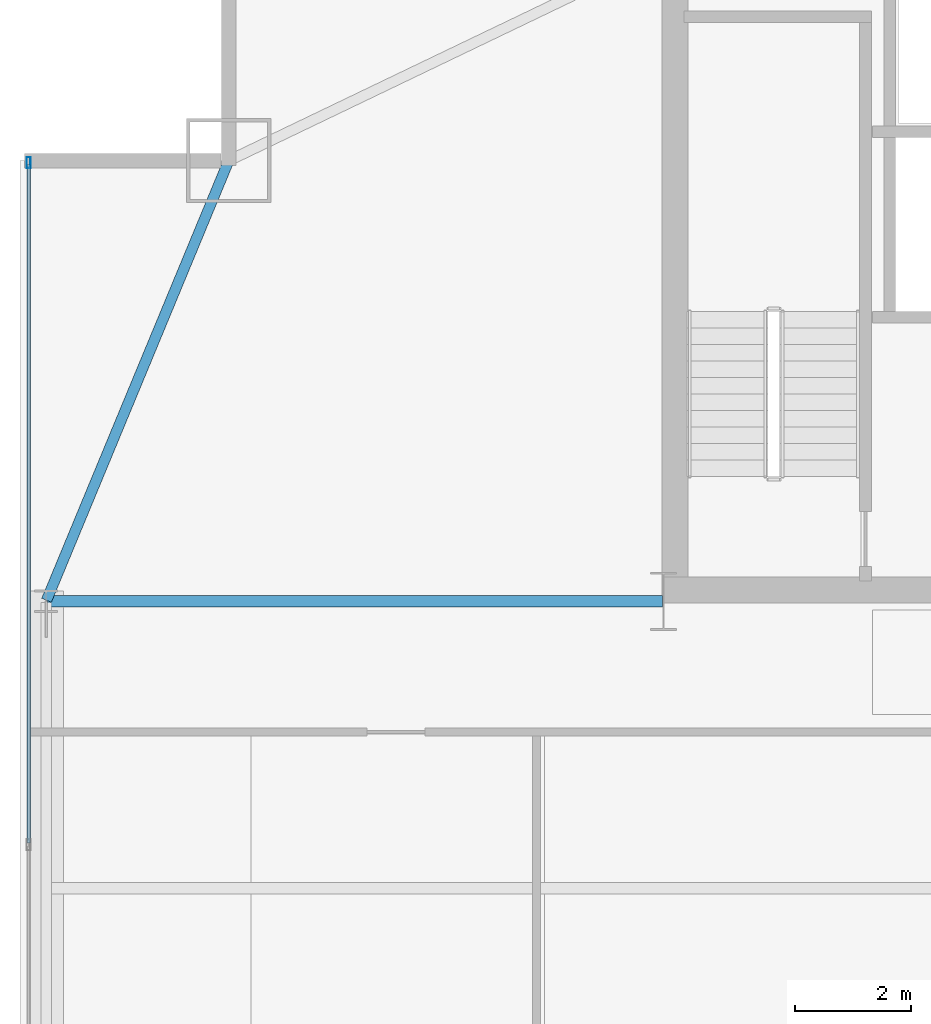
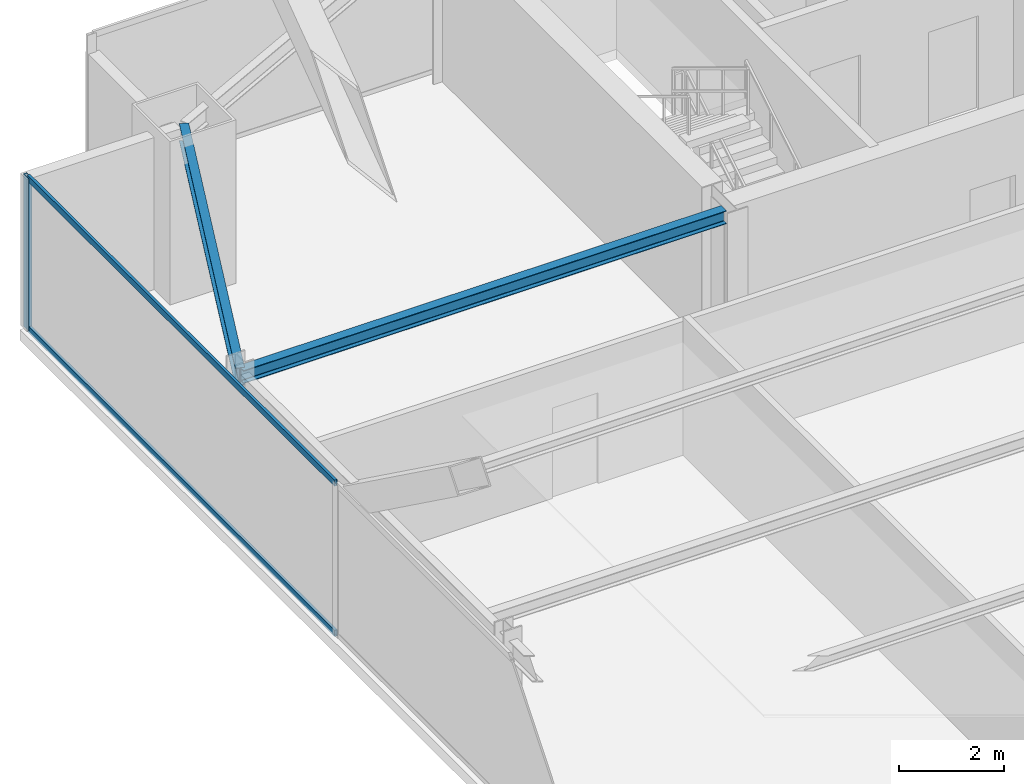
# One storey, part 22 of 37: 3 members, 2 beams, 1 element without a shape of its own.
"""IFC4 building model written with IfcOpenShell, lengths in metres."""

from ifc_helpers import new_model, si_unit, direction, frame, origin, origin_2d, place, context, subcontext, project, spatial, hollow_rectangle, i_section, extrude, source, transform, mapped, material, layer, layer_set, material_profile, profile_set, type_object, type_shapes, element, aggregate, save


model = new_model("IFC4")

# Units and contexts
model_context = context("Model", 3, precision=1e-05, world=origin(), true_north=direction((0.0, 1.0)))
body_context = subcontext(model_context, "Body", "Model", "MODEL_VIEW")
ifc_project = project(units=[si_unit("LENGTHUNIT", "METRE"), si_unit("AREAUNIT", "SQUARE_METRE"), si_unit("VOLUMEUNIT", "CUBIC_METRE"), si_unit("PLANEANGLEUNIT", "RADIAN"), si_unit("MASSUNIT", "GRAM", prefix="KILO")], contexts=[model_context])

# Site, building, storey
site_placement = place(None, origin())
site = spatial("IfcSite", under=ifc_project, at=site_placement, CompositionType="ELEMENT")
building_placement = place(site_placement, origin())
building = spatial("IfcBuilding", under=site, at=building_placement, Name="Varnel Quay Broadcast Tower", CompositionType="ELEMENT")
storey_placement = place(building_placement, frame((0.0, 0.0, 103.0)))
storey = spatial("IfcBuildingStorey", under=building, at=storey_placement, Name="L24", CompositionType="ELEMENT", Elevation=103.0)

# Beams
ifc_material_1 = material(Name="Structural Steel CSA G40.21 350W", Category="steel")
ifc_material_profile_1 = material_profile(ifc_material_1, i_section(OverallWidth=0.180908203125, OverallDepth=0.4169921875, WebThickness=0.010986328125, FlangeThickness=0.018310546875, FilletRadius=0.011962890625, at=origin_2d()), Name="W410X85")
ifc_profile_set_1 = profile_set([ifc_material_profile_1], Name="Structural Steel CSA G40.21 350W")
beam_type_1 = type_object("IfcBeamType", Name="Beam_W410X85", PredefinedType="SPANDREL", material=ifc_profile_set_1)
shared_shape_1 = source(origin(), body_context, "Body", "SweptSolid", [
    extrude(i_section(OverallWidth=0.180908203125, OverallDepth=0.4169921875, WebThickness=0.010986328125, FlangeThickness=0.018310546875, FilletRadius=0.011962890625, at=origin_2d()), origin(), (0.0, 0.0, 1.0), 8.186767578125),
])
type_shapes(beam_type_1, [shared_shape_1])
beam_1_placement = place(storey_placement, frame((4.957763671875, 35.618408203125, 3.341552734375), z_axis=(0.382874132092, 0.923800519038, 0.0), x_axis=(-0.923800519038, 0.382874132092, 0.0)))
element("IfcBeam", 1, at=beam_1_placement, inside=storey, type_object=beam_type_1, Name="L24 West Spandrel TC-W3-MC-NW", PredefinedType="SPANDREL", context=body_context, shape_type="MappedRepresentation", body=[
    mapped(shared_shape_1, transform((0.0, 0.0, 0.0), x_axis=(1.0, 0.0, 0.0), y_axis=(0.0, 1.0, 0.0), z_axis=(0.0, 0.0, 1.0), scale=1.0)),
])
ifc_material_profile_2 = material_profile(ifc_material_1, i_section(OverallWidth=0.202880859375, OverallDepth=0.302978515625, WebThickness=0.007568359375, FlangeThickness=0.01318359375, FilletRadius=0.011962890625, at=origin_2d()), Name="W310X60")
ifc_profile_set_2 = profile_set([ifc_material_profile_2], Name="Structural Steel CSA G40.21 350W")
beam_type_2 = type_object("IfcBeamType", Name="Beam_W310X60", PredefinedType="JOIST", material=ifc_profile_set_2)
shared_shape_2 = source(origin(), body_context, "Body", "SweptSolid", [
    extrude(i_section(OverallWidth=0.202880859375, OverallDepth=0.302978515625, WebThickness=0.007568359375, FlangeThickness=0.01318359375, FilletRadius=0.011962890625, at=origin_2d()), origin(), (0.0, 0.0, 1.0), 10.610107421875),
])
type_shapes(beam_type_2, [shared_shape_2])
beam_2_placement = place(storey_placement, frame((4.969970703125, 35.60009765625, 3.3984375), z_axis=(1.0, 0.0, 0.0), x_axis=(0.0, 1.0, 0.0)))
element("IfcBeam", 2, at=beam_2_placement, inside=storey, type_object=beam_type_2, Name="L24 West Core Tie Joist", PredefinedType="JOIST", context=body_context, shape_type="MappedRepresentation", body=[
    mapped(shared_shape_2, transform((0.0, 0.0, 0.0), x_axis=(1.0, 0.0, 0.0), y_axis=(0.0, 1.0, 0.0), z_axis=(0.0, 0.0, 1.0), scale=1.0)),
])

# Curtain wall, members
ifc_material_2 = material(Name="Anodised Bronze Aluminium 6063-T6", Category="aluminium")
ifc_layer = layer(ifc_material_2, 0.18994140625, Name="Anodised Bronze Aluminium 6063-T6")
ifc_layer_set = layer_set([ifc_layer], Name="Anodised Bronze Aluminium 6063-T6")
curtain_wall_type = type_object("IfcCurtainWallType", Name="CW_LowerTower", PredefinedType="NOTDEFINED", material=ifc_layer_set)
curtain_wall_placement = place(storey_placement, origin())
curtain_wall = element("IfcCurtainWall", 3, at=curtain_wall_placement, inside=storey, type_object=curtain_wall_type, Name="L24 West Unitised Curtain Wall", PredefinedType="NOTDEFINED")
ifc_material_profile_3 = material_profile(ifc_material_2, hollow_rectangle(XDim=0.070068359375, YDim=0.18994140625, WallThickness=0.00390625, at=origin_2d()), Name="ALU70X190X4")
ifc_profile_set_3 = profile_set([ifc_material_profile_3], Name="Anodised Bronze Aluminium 6063-T6")
member_type_1 = type_object("IfcMemberType", Name="Mull_CWS-02", PredefinedType="MULLION", material=ifc_profile_set_3)
shared_shape_3 = source(origin(), body_context, "Body", "SweptSolid", [
    extrude(hollow_rectangle(XDim=0.070068359375, YDim=0.18994140625, WallThickness=0.00390625, at=origin_2d()), origin(), (0.0, 0.0, 1.0), 3.550048828125),
])
type_shapes(member_type_1, [shared_shape_3])
member_1_placement = place(storey_placement, frame((4.64990234375, 43.1650390625, 0.0), z_axis=(0.0, 0.0, 1.0), x_axis=(-1.0, 0.0, 0.0)))
member_1 = element("IfcMember", 4, at=member_1_placement, type_object=member_type_1, Name="CWS-02 mullion 4", PredefinedType="MULLION", context=body_context, shape_type="MappedRepresentation", body=[
    mapped(shared_shape_3, transform((0.0, 0.0, 0.0), x_axis=(1.0, 0.0, 0.0), y_axis=(0.0, 1.0, 0.0), z_axis=(0.0, 0.0, 1.0), scale=1.0)),
])
ifc_material_profile_4 = material_profile(ifc_material_2, hollow_rectangle(XDim=0.06005859375, YDim=0.14501953125, WallThickness=0.00341796875, at=origin_2d()), Name="ALU60X145X3.5")
ifc_profile_set_4 = profile_set([ifc_material_profile_4], Name="Anodised Bronze Aluminium 6063-T6")
member_type_2 = type_object("IfcMemberType", Name="Tran_CWS-02", PredefinedType="USERDEFINED", material=ifc_profile_set_4)
shared_shape_4 = source(origin(), body_context, "Body", "SweptSolid", [
    extrude(hollow_rectangle(XDim=0.06005859375, YDim=0.14501953125, WallThickness=0.00341796875, at=origin_2d()), origin(), (0.0, 0.0, 1.0), 11.69482421875),
])
type_shapes(member_type_2, [shared_shape_4])
member_2_placement = place(storey_placement, frame((4.64990234375, 31.43505859375, 0.030029296875), z_axis=(0.0, 1.0, 0.0), x_axis=(-1.0, 0.0, 0.0)))
member_2 = element("IfcMember", 5, at=member_2_placement, type_object=member_type_2, Name="CWS-02 transom 3.1", ObjectType="TRANSOM", PredefinedType="USERDEFINED", context=body_context, shape_type="MappedRepresentation", body=[
    mapped(shared_shape_4, transform((0.0, 0.0, 0.0), x_axis=(1.0, 0.0, 0.0), y_axis=(0.0, 1.0, 0.0), z_axis=(0.0, 0.0, 1.0), scale=1.0)),
])
member_3_placement = place(storey_placement, frame((4.64990234375, 31.43505859375, 3.52001953125), z_axis=(0.0, 1.0, 0.0), x_axis=(-1.0, 0.0, 0.0)))
member_3 = element("IfcMember", 6, at=member_3_placement, type_object=member_type_2, Name="CWS-02 transom 3.2", ObjectType="TRANSOM", PredefinedType="USERDEFINED", context=body_context, shape_type="MappedRepresentation", body=[
    mapped(shared_shape_4, transform((0.0, 0.0, 0.0), x_axis=(1.0, 0.0, 0.0), y_axis=(0.0, 1.0, 0.0), z_axis=(0.0, 0.0, 1.0), scale=1.0)),
])
aggregate(curtain_wall, [member_1, member_2, member_3])

save(model, "model.ifc")
